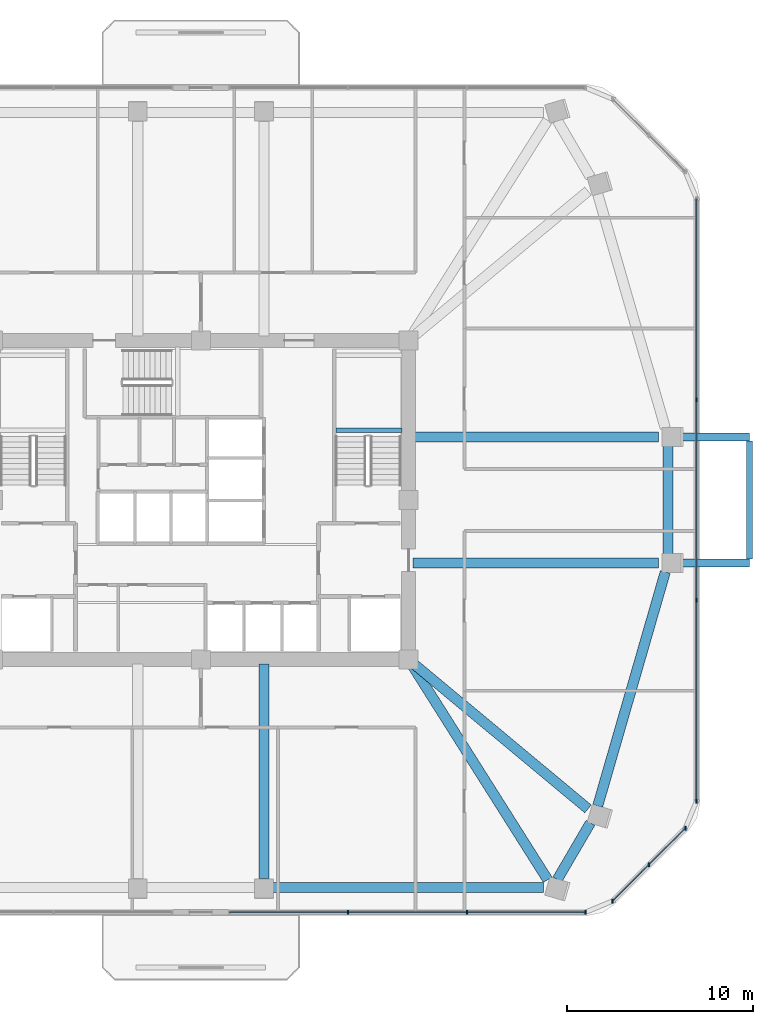
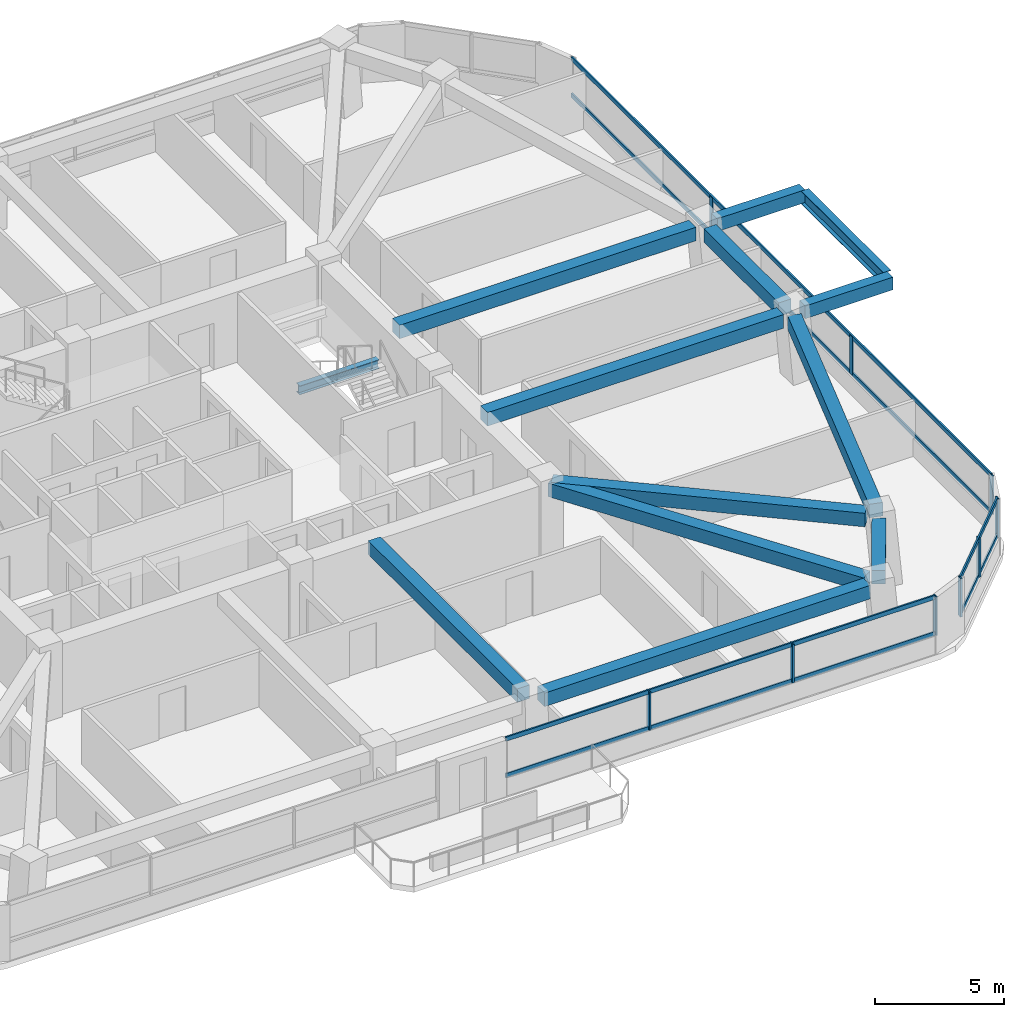
# One storey, part 4 of 13: 15 members, 13 beams, 3 elements without a shape of their own.
"""IFC4 building model written with IfcOpenShell, lengths in metres."""

import ifcopenshell
import ifcopenshell.guid

model = None  # the IFC model being written
_history = None  # IfcOwnerHistory: only IFC2X3 demands one
_inside = {}  # id of a spatial element -> (the spatial element, [elements in it])
_under = {}  # id of a project, library or spatial element -> (it, [spatial elements below it])
_declared = {}  # id of a project -> (the project, [libraries it declares])
_typed = {}  # id of a type object -> (the type object, [elements of that type])
_made_of = {}  # id of a material, layer set ... -> (it, [elements and type objects made of it])


def new_model(schema):
    """Start an empty IFC model of exactly this schema.

    Asked for "IFC4X3", IfcOpenShell would pick the latest addendum, in which some entities
    have other attributes; the version numbers below select the first issue.
    IFC2X3 requires an IfcOwnerHistory on every rooted entity: one is made here for all.
    """
    global model, _history
    if schema == "IFC4X3":
        model = ifcopenshell.file(schema_version=(4, 3, 0, 0))
    else:
        model = ifcopenshell.file(schema=schema)
    _inside.clear()
    _under.clear()
    _declared.clear()
    _typed.clear()
    _made_of.clear()
    _history = None
    if model.schema == "IFC2X3":
        org = make("IfcOrganization", Name="unknown")
        user = make(
            "IfcPersonAndOrganization",
            ThePerson=make("IfcPerson", FamilyName="unknown"),
            TheOrganization=org,
        )
        app = make(
            "IfcApplication",
            ApplicationDeveloper=org,
            Version="unknown",
            ApplicationFullName="unknown",
            ApplicationIdentifier="unknown",
        )
        _history = make(
            "IfcOwnerHistory",
            OwningUser=user,
            OwningApplication=app,
            ChangeAction="ADDED",
            CreationDate=0,
        )
    return model


def make(cls, **values):
    """One entity of the class cls with the attributes given. An attribute that is None is left unset."""
    return model.create_entity(
        cls, **{name: value for name, value in values.items() if value is not None}
    )


def rooted(cls, **values):
    """An entity with a GlobalId (a new one), such as an element, a storey or a relation."""
    return make(cls, GlobalId=ifcopenshell.guid.new(), OwnerHistory=_history, **values)


def si_unit(unit_type, name, prefix=None):
    """IfcSIUnit, for example si_unit("LENGTHUNIT", "METRE", prefix="MILLI")."""
    return make("IfcSIUnit", UnitType=unit_type, Prefix=prefix, Name=name)


def derived_unit(unit_type, elements):
    """IfcDerivedUnit: a product of units, each with its exponent."""
    return make(
        "IfcDerivedUnit",
        Elements=[
            make("IfcDerivedUnitElement", Unit=unit, Exponent=power)
            for unit, power in elements
        ],
        UnitType=unit_type,
    )


def assignment(units):
    """IfcUnitAssignment: the units of a project."""
    return None if units is None else make("IfcUnitAssignment", Units=units)


def point(xyz):
    """IfcCartesianPoint."""
    return None if xyz is None else make("IfcCartesianPoint", Coordinates=xyz)


def direction(xyz):
    """IfcDirection."""
    return None if xyz is None else make("IfcDirection", DirectionRatios=xyz)


def frame(location, z_axis=None, x_axis=None):
    """IfcAxis2Placement3D, a coordinate frame: its origin and axes. An axis left out is left unset."""
    return make(
        "IfcAxis2Placement3D",
        Location=point(location),
        Axis=direction(z_axis),
        RefDirection=direction(x_axis),
    )


def frame_2d(location, x_axis=None):
    """IfcAxis2Placement2D, a coordinate frame in the plane: its origin and x axis."""
    return make(
        "IfcAxis2Placement2D", Location=point(location), RefDirection=direction(x_axis)
    )


def origin():
    """The frame at (0, 0, 0) with its axes left unset."""
    return frame((0.0, 0.0, 0.0))


def origin_2d():
    """The frame at (0, 0) in the plane with its x axis left unset."""
    return frame_2d((0.0, 0.0))


def place(relative_to, where):
    """IfcLocalPlacement: puts the frame where relative to a parent placement (None: the world)."""
    return make(
        "IfcLocalPlacement", PlacementRelTo=relative_to, RelativePlacement=where
    )


def context(
    kind, dimensions, precision=None, world=None, true_north=None, identifier=None
):
    """IfcGeometricRepresentationContext, for example the 3D "Model" context."""
    return make(
        "IfcGeometricRepresentationContext",
        ContextIdentifier=identifier,
        ContextType=kind,
        CoordinateSpaceDimension=dimensions,
        Precision=precision,
        WorldCoordinateSystem=world,
        TrueNorth=true_north,
    )


def subcontext(parent, identifier, kind, view, scale=None):
    """IfcGeometricRepresentationSubContext, for example "Body" below "Model"."""
    return make(
        "IfcGeometricRepresentationSubContext",
        ContextIdentifier=identifier,
        ContextType=kind,
        ParentContext=parent,
        TargetScale=scale,
        TargetView=view,
    )


def project(units=None, contexts=None):
    """IfcProject with its units and contexts."""
    return rooted(
        "IfcProject",
        Name="project",
        RepresentationContexts=contexts,
        UnitsInContext=assignment(units),
    )


def spatial(cls, under=None, at=None, **own):
    """A site, building, storey or space (cls), placed at a placement, below another one or the project."""
    s = rooted(cls, ObjectPlacement=at, **own)
    if under is not None:
        _under.setdefault(under.id(), (under, []))[1].append(s)
    return s


def profile(cls, at=None, kind="AREA", **sizes):
    """A parametric profile (cls). Its sizes go by their IFC names, for example OverallWidth=200.0."""
    return make(cls, ProfileType=kind, Position=at, **sizes)


def rectangle(**sizes):
    """IfcRectangleProfileDef."""
    return profile("IfcRectangleProfileDef", **sizes)


def i_section(**sizes):
    """IfcIShapeProfileDef."""
    return profile("IfcIShapeProfileDef", **sizes)


def extrude(swept, where, along, depth):
    """IfcExtrudedAreaSolid: the profile swept, set in the frame where, extruded along a direction by depth."""
    return make(
        "IfcExtrudedAreaSolid",
        SweptArea=swept,
        Position=where,
        ExtrudedDirection=direction(along),
        Depth=depth,
    )


def shape(context_of_items, identifier, shape_type, items):
    """IfcShapeRepresentation: the items that make up one representation, for example the "Body"."""
    return make(
        "IfcShapeRepresentation",
        ContextOfItems=context_of_items,
        RepresentationIdentifier=identifier,
        RepresentationType=shape_type,
        Items=items,
    )


def material(Name=None, Category=None):
    """IfcMaterial."""
    return make("IfcMaterial", Name=Name, Category=Category)


def material_profile(
    of_material, cross_section, Name=None, Category=None, Priority=None
):
    """IfcMaterialProfile: a cross section and its material."""
    return make(
        "IfcMaterialProfile",
        Name=Name,
        Material=of_material,
        Profile=cross_section,
        Priority=Priority,
        Category=Category,
    )


def profile_set(profiles, Name=None, composite=None):
    """IfcMaterialProfileSet."""
    return make(
        "IfcMaterialProfileSet",
        Name=Name,
        MaterialProfiles=profiles,
        CompositeProfile=composite,
    )


def made_of(thing, what):
    """Note that an element or type object is made of a material, layer set ...; save() writes the relation."""
    if what is not None:
        _made_of.setdefault(what.id(), (what, []))[1].append(thing)
    return thing


def type_object(cls, material=None, **own):
    """A type object (cls), such as IfcWallType, which elements share."""
    return made_of(rooted(cls, **own), material)


def element(
    cls,
    number,
    at=None,
    inside=None,
    cuts=None,
    type_object=None,
    material=None,
    context=None,
    identifier="Body",
    shape_type=None,
    held_by="IfcProductDefinitionShape",
    body=None,
    shapes=None,
    **own,
):
    """One element of the class cls, such as IfcWall. Its Tag is "e" and its number.

    at: its placement. inside: the storey or other place that contains it. cuts: it is an
    opening in that element (IfcRelVoidsElement). A single representation is given by context,
    identifier, shape_type and body (its items); several are given by shapes. held_by: the class
    of the entity that holds the representations. save() writes the other relations.
    """
    e = rooted(cls, Tag="e%d" % number, ObjectPlacement=at, **own)
    if body is not None:
        shapes = [shape(context, identifier, shape_type, body)]
    if shapes is not None:
        e.Representation = make(held_by, Representations=shapes)
    if inside is not None:
        _inside.setdefault(inside.id(), (inside, []))[1].append(e)
    if cuts is not None:
        rooted(
            "IfcRelVoidsElement", RelatingBuildingElement=cuts, RelatedOpeningElement=e
        )
    if type_object is not None:
        _typed.setdefault(type_object.id(), (type_object, []))[1].append(e)
    return made_of(e, material)


def aggregate(whole, parts):
    """IfcRelAggregates: a whole, such as a stair, and the parts it consists of."""
    return rooted("IfcRelAggregates", RelatingObject=whole, RelatedObjects=parts)


def save(model, path):
    """Write the relations noted so far, then the file.

    IfcRelAggregates (storeys below a building ...), IfcRelContainedInSpatialStructure (elements
    in a storey), IfcRelDefinesByType, IfcRelAssociatesMaterial and IfcRelDeclares: one each for
    every whole, place, type object, material and project.
    """
    for whole, parts in _under.values():
        aggregate(whole, parts)
    for where, things in _inside.values():
        rooted(
            "IfcRelContainedInSpatialStructure",
            RelatedElements=things,
            RelatingStructure=where,
        )
    for kind, things in _typed.values():
        rooted("IfcRelDefinesByType", RelatedObjects=things, RelatingType=kind)
    for what, things in _made_of.values():
        rooted("IfcRelAssociatesMaterial", RelatedObjects=things, RelatingMaterial=what)
    for by, libraries in _declared.values():
        rooted("IfcRelDeclares", RelatingContext=by, RelatedDefinitions=libraries)
    model.write(path)


model = new_model("IFC4")

# Units and contexts
model_context = context("Model", 3, precision=1e-05, world=origin(), true_north=direction((0.0, 1.0)))
body_context = subcontext(model_context, "Body", "Model", "MODEL_VIEW")
ifc_project = project(units=[si_unit("LENGTHUNIT", "METRE"), si_unit("AREAUNIT", "SQUARE_METRE"), si_unit("VOLUMEUNIT", "CUBIC_METRE"), si_unit("PLANEANGLEUNIT", "RADIAN"), si_unit("MASSUNIT", "GRAM", prefix="KILO"), derived_unit("THERMALTRANSMITTANCEUNIT", [(si_unit("POWERUNIT", "WATT"), 1), (si_unit("LENGTHUNIT", "METRE"), -2), (si_unit("THERMODYNAMICTEMPERATUREUNIT", "KELVIN"), -1)])], contexts=[model_context])

# Site, building, storey
site_placement = place(None, origin())
site = spatial("IfcSite", under=ifc_project, at=site_placement, CompositionType="ELEMENT")
building_placement = place(site_placement, origin())
building = spatial("IfcBuilding", under=site, at=building_placement, Name="Koralith Skygarden Medical Center", CompositionType="ELEMENT")
storey_placement = place(building_placement, frame((0.0, 0.0, 88.3798828125)))
storey = spatial("IfcBuildingStorey", under=building, at=storey_placement, Name="L22", CompositionType="ELEMENT", Elevation=88.3798828125)

# Curtain wall, members
ifc_material_1 = material(Name="Clear Laminated Glass", Category="glass")
curtain_wall_type = type_object("IfcCurtainWallType", Name="CW-3 Zone 2 Faceted Solar Curtain Wall", PredefinedType="NOTDEFINED", material=ifc_material_1)
curtain_wall_1_placement = place(storey_placement, origin())
curtain_wall_1 = element("IfcCurtainWall", 1, at=curtain_wall_1_placement, inside=storey, type_object=curtain_wall_type, Name="Curtain Wall CW-L22-S-R", PredefinedType="NOTDEFINED")
ifc_material_2 = material(Name="Aluminium 6063-T6", Category="aluminium")
ifc_material_profile_1 = material_profile(ifc_material_2, rectangle(XDim=0.073974609375, YDim=0.219970703125, at=origin_2d()), Name="MUL74X220")
ifc_profile_set_1 = profile_set([ifc_material_profile_1], Name="Aluminium 6063-T6")
member_type_1 = type_object("IfcMemberType", Name="CW-3 Extruded Mullion 74x220", PredefinedType="MULLION", material=ifc_profile_set_1)
member_1_placement = place(storey_placement, frame((44.94091796875, 3.679931640625, 0.85009765625), z_axis=(0.0, 0.0, 1.0), x_axis=(1.0, 0.0, 0.0)))
member_1 = element("IfcMember", 2, at=member_1_placement, type_object=member_type_1, Name="CW-L22-S-R Mullion 2", PredefinedType="MULLION", context=body_context, shape_type="SweptSolid", body=[
    extrude(rectangle(XDim=0.073974609375, YDim=0.219970703125, at=origin_2d()), origin(), (0.0, 0.0, 1.0), 1.820068359375),
])
member_2_placement = place(storey_placement, frame((51.343017578125, 3.679931640625, 0.85009765625), z_axis=(0.0, 0.0, 1.0), x_axis=(1.0, 0.0, 0.0)))
member_2 = element("IfcMember", 3, at=member_2_placement, type_object=member_type_1, Name="CW-L22-S-R Mullion 3", PredefinedType="MULLION", context=body_context, shape_type="SweptSolid", body=[
    extrude(rectangle(XDim=0.073974609375, YDim=0.219970703125, at=origin_2d()), origin(), (0.0, 0.0, 1.0), 1.820068359375),
])
member_3_placement = place(storey_placement, frame((57.7451171875, 3.679931640625, 0.85009765625), z_axis=(0.0, 0.0, 1.0), x_axis=(1.0, 0.0, 0.0)))
member_3 = element("IfcMember", 4, at=member_3_placement, type_object=member_type_1, Name="CW-L22-S-R Mullion 4", PredefinedType="MULLION", context=body_context, shape_type="SweptSolid", body=[
    extrude(rectangle(XDim=0.073974609375, YDim=0.219970703125, at=origin_2d()), origin(), (0.0, 0.0, 1.0), 1.820068359375),
])

curtain_wall_2_placement = place(storey_placement, origin())
curtain_wall_2 = element("IfcCurtainWall", 5, at=curtain_wall_2_placement, inside=storey, type_object=curtain_wall_type, Name="Curtain Wall CW-L22-SE", PredefinedType="NOTDEFINED")
member_4_placement = place(storey_placement, frame((59.196044921875, 4.281005859375, 0.85009765625), z_axis=(0.0, 0.0, 1.0), x_axis=(1.0, 0.0, 0.0)))
member_4 = element("IfcMember", 6, at=member_4_placement, type_object=member_type_1, Name="CW-L22-SE Mullion 1", PredefinedType="MULLION", context=body_context, shape_type="SweptSolid", body=[
    extrude(rectangle(XDim=0.073974609375, YDim=0.219970703125, at=origin_2d()), origin(), (0.0, 0.0, 1.0), 1.820068359375),
])
member_5_placement = place(storey_placement, frame((61.156982421875, 6.241943359375, 0.85009765625), z_axis=(0.0, 0.0, 1.0), x_axis=(1.0, 0.0, 0.0)))
member_5 = element("IfcMember", 7, at=member_5_placement, type_object=member_type_1, Name="CW-L22-SE Mullion 2", PredefinedType="MULLION", context=body_context, shape_type="SweptSolid", body=[
    extrude(rectangle(XDim=0.073974609375, YDim=0.219970703125, at=origin_2d()), origin(), (0.0, 0.0, 1.0), 1.820068359375),
])
member_6_placement = place(storey_placement, frame((63.118896484375, 8.2041015625, 0.85009765625), z_axis=(0.0, 0.0, 1.0), x_axis=(1.0, 0.0, 0.0)))
member_6 = element("IfcMember", 8, at=member_6_placement, type_object=member_type_1, Name="CW-L22-SE Mullion 3", PredefinedType="MULLION", context=body_context, shape_type="SweptSolid", body=[
    extrude(rectangle(XDim=0.073974609375, YDim=0.219970703125, at=origin_2d()), origin(), (0.0, 0.0, 1.0), 1.820068359375),
])

curtain_wall_3_placement = place(storey_placement, origin())
curtain_wall_3 = element("IfcCurtainWall", 9, at=curtain_wall_3_placement, inside=storey, type_object=curtain_wall_type, Name="Curtain Wall CW-L22-E", PredefinedType="NOTDEFINED")
member_7_placement = place(storey_placement, frame((63.719970703125, 9.655029296875, 0.85009765625), z_axis=(0.0, 0.0, 1.0), x_axis=(1.0, 0.0, 0.0)))
member_7 = element("IfcMember", 10, at=member_7_placement, type_object=member_type_1, Name="CW-L22-E Mullion 1", PredefinedType="MULLION", context=body_context, shape_type="SweptSolid", body=[
    extrude(rectangle(XDim=0.073974609375, YDim=0.219970703125, at=origin_2d()), origin(), (0.0, 0.0, 1.0), 1.820068359375),
])
member_8_placement = place(storey_placement, frame((63.719970703125, 20.485107421875, 0.85009765625), z_axis=(0.0, 0.0, 1.0), x_axis=(1.0, 0.0, 0.0)))
member_8 = element("IfcMember", 11, at=member_8_placement, type_object=member_type_1, Name="CW-L22-E Mullion 2", PredefinedType="MULLION", context=body_context, shape_type="SweptSolid", body=[
    extrude(rectangle(XDim=0.073974609375, YDim=0.219970703125, at=origin_2d()), origin(), (0.0, 0.0, 1.0), 1.820068359375),
])
member_9_placement = place(storey_placement, frame((63.719970703125, 31.31494140625, 0.85009765625), z_axis=(0.0, 0.0, 1.0), x_axis=(1.0, 0.0, 0.0)))
member_9 = element("IfcMember", 12, at=member_9_placement, type_object=member_type_1, Name="CW-L22-E Mullion 3", PredefinedType="MULLION", context=body_context, shape_type="SweptSolid", body=[
    extrude(rectangle(XDim=0.073974609375, YDim=0.219970703125, at=origin_2d()), origin(), (0.0, 0.0, 1.0), 1.820068359375),
])

# Member
ifc_material_profile_2 = material_profile(ifc_material_2, rectangle(XDim=0.069091796875, YDim=0.197998046875, at=origin_2d()), Name="TRN69X198")
ifc_profile_set_2 = profile_set([ifc_material_profile_2], Name="Aluminium 6063-T6")
member_type_2 = type_object("IfcMemberType", Name="CW-3 Thermal Transom 69x198", PredefinedType="USERDEFINED", material=ifc_profile_set_2)
member_10_placement = place(storey_placement, frame((38.5390625, 3.679931640625, 0.900146484375), z_axis=(1.0, 0.0, 0.0), x_axis=(0.0, 1.0, 0.0)))
member_10 = element("IfcMember", 13, at=member_10_placement, type_object=member_type_2, Name="CW-L22-S-R Transom 1", ObjectType="TRANSOM", PredefinedType="USERDEFINED", context=body_context, shape_type="SweptSolid", body=[
    extrude(rectangle(XDim=0.069091796875, YDim=0.197998046875, at=origin_2d()), origin(), (0.0, 0.0, 1.0), 19.2060546875),
])

member_11_placement = place(storey_placement, frame((38.5390625, 3.679931640625, 2.6201171875), z_axis=(1.0, 0.0, 0.0), x_axis=(0.0, 1.0, 0.0)))
member_11 = element("IfcMember", 14, at=member_11_placement, type_object=member_type_2, Name="CW-L22-S-R Transom 2", ObjectType="TRANSOM", PredefinedType="USERDEFINED", context=body_context, shape_type="SweptSolid", body=[
    extrude(rectangle(XDim=0.069091796875, YDim=0.197998046875, at=origin_2d()), origin(), (0.0, 0.0, 1.0), 19.2060546875),
])

aggregate(curtain_wall_1, [member_1, member_2, member_3, member_10, member_11])

member_12_placement = place(storey_placement, frame((59.196044921875, 4.281005859375, 0.900146484375), z_axis=(0.707084777957, 0.707128783731, 0.0), x_axis=(-0.707128783731, 0.707084777957, 0.0)))
member_12 = element("IfcMember", 15, at=member_12_placement, type_object=member_type_2, Name="CW-L22-SE Transom 1", ObjectType="TRANSOM", PredefinedType="USERDEFINED", context=body_context, shape_type="SweptSolid", body=[
    extrude(rectangle(XDim=0.069091796875, YDim=0.197998046875, at=origin_2d()), origin(), (0.0, 0.0, 1.0), 5.5478515625),
])

member_13_placement = place(storey_placement, frame((59.196044921875, 4.281005859375, 2.6201171875), z_axis=(0.707084777957, 0.707128783731, 0.0), x_axis=(-0.707128783731, 0.707084777957, 0.0)))
member_13 = element("IfcMember", 16, at=member_13_placement, type_object=member_type_2, Name="CW-L22-SE Transom 2", ObjectType="TRANSOM", PredefinedType="USERDEFINED", context=body_context, shape_type="SweptSolid", body=[
    extrude(rectangle(XDim=0.069091796875, YDim=0.197998046875, at=origin_2d()), origin(), (0.0, 0.0, 1.0), 5.5478515625),
])

aggregate(curtain_wall_2, [member_4, member_5, member_6, member_12, member_13])

member_14_placement = place(storey_placement, frame((63.719970703125, 9.655029296875, 0.900146484375), z_axis=(0.0, 1.0, 0.0), x_axis=(-1.0, 0.0, 0.0)))
member_14 = element("IfcMember", 17, at=member_14_placement, type_object=member_type_2, Name="CW-L22-E Transom 1", ObjectType="TRANSOM", PredefinedType="USERDEFINED", context=body_context, shape_type="SweptSolid", body=[
    extrude(rectangle(XDim=0.069091796875, YDim=0.197998046875, at=origin_2d()), origin(), (0.0, 0.0, 1.0), 32.489990234375),
])

member_15_placement = place(storey_placement, frame((63.719970703125, 9.655029296875, 2.6201171875), z_axis=(0.0, 1.0, 0.0), x_axis=(-1.0, 0.0, 0.0)))
member_15 = element("IfcMember", 18, at=member_15_placement, type_object=member_type_2, Name="CW-L22-E Transom 2", ObjectType="TRANSOM", PredefinedType="USERDEFINED", context=body_context, shape_type="SweptSolid", body=[
    extrude(rectangle(XDim=0.069091796875, YDim=0.197998046875, at=origin_2d()), origin(), (0.0, 0.0, 1.0), 32.489990234375),
])

aggregate(curtain_wall_3, [member_7, member_8, member_9, member_14, member_15])

# Beams
ifc_material_3 = material(Name="Steel ASTM A992 Grade 50", Category="steel")
ifc_material_profile_3 = material_profile(ifc_material_3, i_section(OverallWidth=0.326904296875, OverallDepth=0.6220703125, WebThickness=0.015380859375, FlangeThickness=0.0244140625, at=origin_2d()), Name="W24X131")
ifc_profile_set_3 = profile_set([ifc_material_profile_3], Name="Steel ASTM A992 Grade 50")
beam_type_1 = type_object("IfcBeamType", Name="Cantilever Tie Beam W24X131", PredefinedType="BEAM", material=ifc_profile_set_3)
beam_1_placement = place(storey_placement, frame((66.587890625, 22.719970703125, 3.029052734375), z_axis=(0.0, 1.0, 0.0), x_axis=(-1.0, 0.0, 0.0)))
element("IfcBeam", 19, at=beam_1_placement, inside=storey, type_object=beam_type_1, Name="L23 E Balcony Tip Tie Beam", PredefinedType="BEAM", context=body_context, shape_type="SweptSolid", body=[
    extrude(i_section(OverallWidth=0.326904296875, OverallDepth=0.6220703125, WebThickness=0.015380859375, FlangeThickness=0.0244140625, at=origin_2d()), origin(), (0.0, 0.0, 1.0), 6.360107421875),
])
ifc_material_profile_4 = material_profile(ifc_material_3, i_section(OverallWidth=0.260009765625, OverallDepth=0.4150390625, WebThickness=0.010009765625, FlangeThickness=0.016845703125, at=origin_2d()), Name="W16X67")
ifc_profile_set_4 = profile_set([ifc_material_profile_4], Name="Steel ASTM A992 Grade 50")
beam_type_2 = type_object("IfcBeamType", Name="Clinical Floor Joist W16X67", PredefinedType="JOIST", material=ifc_profile_set_4)
beam_2_placement = place(storey_placement, frame((44.280029296875, 29.659912109375, 1.39306640625), z_axis=(1.0, 0.0, 0.0), x_axis=(0.0, 1.0, 0.0)))
element("IfcBeam", 20, at=beam_2_placement, inside=storey, type_object=beam_type_2, Name="L22 Stair ST2 Half-Landing Support Beam 1A", PredefinedType="JOIST", context=body_context, shape_type="SweptSolid", body=[
    extrude(i_section(OverallWidth=0.260009765625, OverallDepth=0.4150390625, WebThickness=0.010009765625, FlangeThickness=0.016845703125, at=origin_2d()), origin(), (0.0, 0.0, 1.0), 3.56494140625),
])
ifc_material_4 = material(Name="Concrete C45/55", Category="concrete")
ifc_material_profile_5 = material_profile(ifc_material_4, rectangle(XDim=0.449951171875, YDim=0.60009765625, at=origin_2d()), Name="RCB450X600")
ifc_profile_set_5 = profile_set([ifc_material_profile_5], Name="Concrete C45/55")
beam_type_3 = type_object("IfcBeamType", Name="Planted Balcony Cantilever Beam RCB450X600", PredefinedType="BEAM", material=ifc_profile_set_5)
for number, where, z_axis, x_axis, name in (
    (21, (62.66796875, 22.5, 3.0400390625), (1.0, 0.0, 0.0), (0.0, 1.0, 0.0), "L23 E Balcony Cantilever Beam A"),
    (22, (62.66796875, 29.300048828125, 3.0400390625), (1.0, 0.0, 0.0), (0.0, 1.0, 0.0), "L23 E Balcony Cantilever Beam B"),
):
    element("IfcBeam", number, at=place(storey_placement, frame(where, z_axis=z_axis, x_axis=x_axis)), inside=storey, type_object=beam_type_3, Name=name, PredefinedType="BEAM", context=body_context, shape_type="SweptSolid", body=[
        extrude(rectangle(XDim=0.449951171875, YDim=0.60009765625, at=origin_2d()), origin(), (0.0, 0.0, 1.0), 3.919921875),
    ])
ifc_material_profile_6 = material_profile(ifc_material_4, rectangle(XDim=0.550048828125, YDim=0.639892578125, at=origin_2d()), Name="RCB550X640")
ifc_profile_set_6 = profile_set([ifc_material_profile_6], Name="Concrete C45/55")
beam_type_4 = type_object("IfcBeamType", Name="Radial Collector Beam RCB550X640", PredefinedType="BEAM", material=ifc_profile_set_6)
beam_3_placement = place(storey_placement, frame((40.39990234375, 17.050048828125, 3.0), z_axis=(0.0, -1.0, 0.0), x_axis=(1.0, 0.0, 0.0)))
element("IfcBeam", 23, at=beam_3_placement, inside=storey, type_object=beam_type_4, Name="L22 Radial Collector Beam RB-05", PredefinedType="BEAM", context=body_context, shape_type="SweptSolid", body=[
    extrude(rectangle(XDim=0.550048828125, YDim=0.639892578125, at=origin_2d()), origin(), (0.0, 0.0, 1.0), 11.5419921875),
])
beam_4_placement = place(storey_placement, frame((48.333984375, 17.089111328125, 3.0), z_axis=(0.534092238193, -0.845426212689, 0.0), x_axis=(0.845426212689, 0.534092238193, 0.0)))
element("IfcBeam", 24, at=beam_4_placement, inside=storey, type_object=beam_type_4, Name="L22 Radial Collector Beam RB-06", PredefinedType="BEAM", context=body_context, shape_type="SweptSolid", body=[
    extrude(rectangle(XDim=0.550048828125, YDim=0.639892578125, at=origin_2d()), origin(), (0.0, 0.0, 1.0), 13.789794921875),
])
beam_5_placement = place(storey_placement, frame((48.39208984375, 17.139892578125, 3.0), z_axis=(0.768616980181, -0.63970926035, 0.0), x_axis=(0.63970926035, 0.768616980181, 0.0)))
element("IfcBeam", 25, at=beam_5_placement, inside=storey, type_object=beam_type_4, Name="L22 Radial Collector Beam RB-07", PredefinedType="BEAM", context=body_context, shape_type="SweptSolid", body=[
    extrude(rectangle(XDim=0.550048828125, YDim=0.639892578125, at=origin_2d()), origin(), (0.0, 0.0, 1.0), 12.335205078125),
])
for number, where, z_axis, x_axis, name in (
    (26, (48.449951171875, 22.5, 3.0), (1.0, 0.0, 0.0), (0.0, 1.0, 0.0), "L22 Radial Collector Beam RB-08"),
    (27, (48.449951171875, 29.300048828125, 3.0), (1.0, 0.0, 0.0), (0.0, 1.0, 0.0), "L22 Radial Collector Beam RB-09"),
):
    element("IfcBeam", number, at=place(storey_placement, frame(where, z_axis=z_axis, x_axis=x_axis)), inside=storey, type_object=beam_type_4, Name=name, PredefinedType="BEAM", context=body_context, shape_type="SweptSolid", body=[
        extrude(rectangle(XDim=0.550048828125, YDim=0.639892578125, at=origin_2d()), origin(), (0.0, 0.0, 1.0), 13.22802734375),
    ])
ifc_material_profile_7 = material_profile(ifc_material_4, rectangle(XDim=0.550048828125, YDim=0.639892578125, at=origin_2d()), Name="RCB550X640")
ifc_profile_set_7 = profile_set([ifc_material_profile_7], Name="Concrete C45/55")
beam_type_5 = type_object("IfcBeamType", Name="Zone 2-3 Spandrel Beam RCB550X640", PredefinedType="SPANDREL", material=ifc_profile_set_7)
beam_6_placement = place(storey_placement, frame((40.89990234375, 5.008056640625, 3.0), z_axis=(1.0, 0.0, 0.0), x_axis=(0.0, 1.0, 0.0)))
element("IfcBeam", 28, at=beam_6_placement, inside=storey, type_object=beam_type_5, Name="L22 Perimeter Spandrel Beam SP-05", PredefinedType="SPANDREL", context=body_context, shape_type="SweptSolid", body=[
    extrude(rectangle(XDim=0.550048828125, YDim=0.639892578125, at=origin_2d()), origin(), (0.0, 0.0, 1.0), 14.566162109375),
])
beam_7_placement = place(storey_placement, frame((56.218017578125, 5.43994140625, 3.0), z_axis=(0.504616741927, 0.863343468016, 0.0), x_axis=(-0.863343468016, 0.504616741927, 0.0)))
element("IfcBeam", 29, at=beam_7_placement, inside=storey, type_object=beam_type_5, Name="L22 Perimeter Spandrel Beam SP-06", PredefinedType="SPANDREL", context=body_context, shape_type="SweptSolid", body=[
    extrude(rectangle(XDim=0.550048828125, YDim=0.639892578125, at=origin_2d()), origin(), (0.0, 0.0, 1.0), 3.541015625),
])
beam_8_placement = place(storey_placement, frame((58.39599609375, 9.408935546875, 3.0), z_axis=(0.277530116088, 0.960716937846, 0.0), x_axis=(-0.960716937846, 0.277530116088, 0.0)))
element("IfcBeam", 30, at=beam_8_placement, inside=storey, type_object=beam_type_5, Name="L22 Perimeter Spandrel Beam SP-07", PredefinedType="SPANDREL", context=body_context, shape_type="SweptSolid", body=[
    extrude(rectangle(XDim=0.550048828125, YDim=0.639892578125, at=origin_2d()), origin(), (0.0, 0.0, 1.0), 13.126708984375),
])
beam_9_placement = place(storey_placement, frame((62.177978515625, 23.0, 3.0), z_axis=(0.0, 1.0, 0.0), x_axis=(-1.0, 0.0, 0.0)))
element("IfcBeam", 31, at=beam_9_placement, inside=storey, type_object=beam_type_5, Name="L22 Perimeter Spandrel Beam SP-08", PredefinedType="SPANDREL", context=body_context, shape_type="SweptSolid", body=[
    extrude(rectangle(XDim=0.550048828125, YDim=0.639892578125, at=origin_2d()), origin(), (0.0, 0.0, 1.0), 5.800048828125),
])

save(model, "model.ifc")
